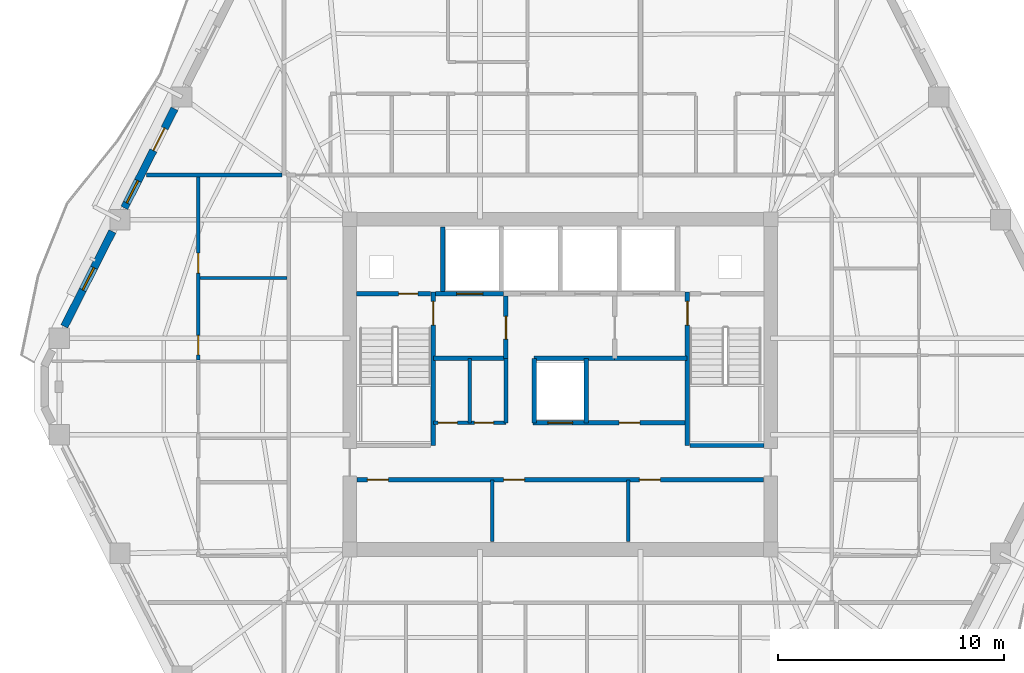
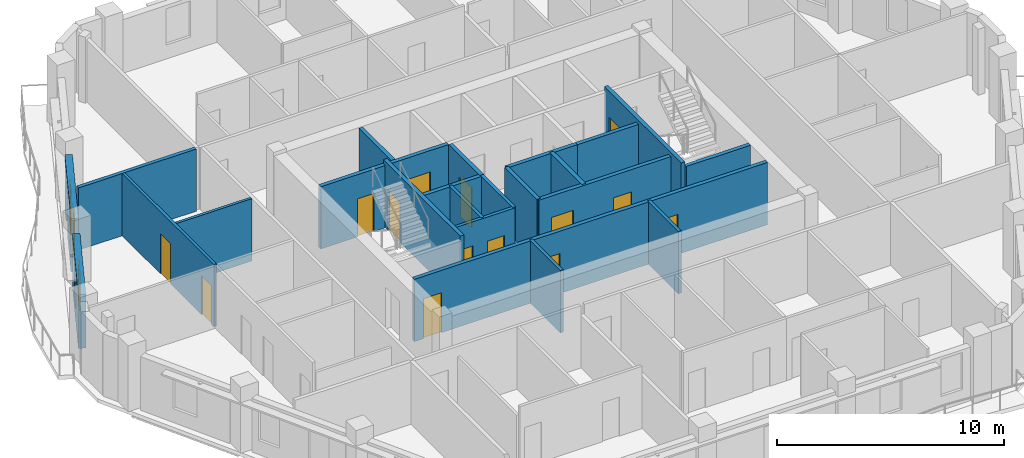
# One storey, part 5 of 11: 24 walls, 15 doors, 2 windows, 17 openings.
"""IFC4 building model written with IfcOpenShell, lengths in metres."""

from ifc_helpers import new_model, si_unit, direction, frame, frame_2d, origin, place, context, subcontext, project, spatial, rectangle, extrude, material, layer, layer_set, type_object, element, fill, save


model = new_model("IFC4")

# Units and contexts
model_context = context("Model", 3, precision=1e-05, world=origin(), true_north=direction((0.0, 1.0)))
body_context = subcontext(model_context, "Body", "Model", "MODEL_VIEW")
ifc_project = project(units=[si_unit("LENGTHUNIT", "METRE"), si_unit("AREAUNIT", "SQUARE_METRE"), si_unit("VOLUMEUNIT", "CUBIC_METRE"), si_unit("PLANEANGLEUNIT", "RADIAN"), si_unit("MASSUNIT", "GRAM", prefix="KILO")], contexts=[model_context])

# Site, building, storey
site_placement = place(None, origin())
site = spatial("IfcSite", under=ifc_project, at=site_placement, CompositionType="ELEMENT")
building_placement = place(site_placement, origin())
building = spatial("IfcBuilding", under=site, at=building_placement, Name="Cinnabar Lancet Tower", CompositionType="ELEMENT")
storey_placement = place(building_placement, frame((0.0, 0.0, 182.550048828125)))
storey = spatial("IfcBuildingStorey", under=building, at=storey_placement, Name="L48", CompositionType="ELEMENT", Elevation=182.550048828125)

# Wall, openings, doors
ifc_material_1 = material(Name="Acoustic twin-stud gypsum partition", Category="gypsum")
ifc_layer_1 = layer(ifc_material_1, 0.159912109375)
ifc_layer_set_1 = layer_set([ifc_layer_1], Name="Acoustic twin-stud gypsum partition")
wall_type_1 = type_object("IfcWallType", Name="ARC-WL-CORR-160", PredefinedType="PARTITIONING", material=ifc_layer_set_1)
wall_1_placement = place(storey_placement, frame((26.800048828125, 24.199951171875, 0.0), z_axis=(0.0, 0.0, 1.0), x_axis=(1.0, 0.0, 0.0)))
wall_1 = element("IfcWall", 1, at=wall_1_placement, inside=storey, type_object=wall_type_1, Name="CW-REC5S-L48", PredefinedType="PARTITIONING", context=body_context, shape_type="SweptSolid", body=[
    extrude(rectangle(XDim=3.199951171875, YDim=0.159912109375, at=frame_2d((1.60009765625, 0.0))), origin(), (0.0, 0.0, 1.0), 3.349853515625),
])
opening_1_placement = place(wall_1_placement, frame((0.199951171875, 0.0, 0.0)))
opening_1 = element("IfcOpeningElement", 2, at=opening_1_placement, cuts=wall_1, Name="Opening PD-02", PredefinedType="OPENING", context=body_context, shape_type="SweptSolid", body=[
    extrude(rectangle(XDim=0.85009765625, YDim=2.050048828125, at=frame_2d((0.425048828125, 1.02490234375))), frame((0.0, 0.08984375, 0.0), z_axis=(0.0, -1.0, 0.0), x_axis=(1.0, 0.0, 0.0)), (0.0, 0.0, 1.0), 0.179931640625),
])
opening_2_placement = place(wall_1_placement, frame((1.800048828125, 0.0, 0.0)))
opening_2 = element("IfcOpeningElement", 3, at=opening_2_placement, cuts=wall_1, Name="Opening PD-02", PredefinedType="OPENING", context=body_context, shape_type="SweptSolid", body=[
    extrude(rectangle(XDim=0.85009765625, YDim=2.050048828125, at=frame_2d((0.425048828125, 1.02490234375))), frame((0.0, 0.08984375, 0.0), z_axis=(0.0, -1.0, 0.0), x_axis=(1.0, 0.0, 0.0)), (0.0, 0.0, 1.0), 0.179931640625),
])
ifc_material_2 = material(Name="Fire-rated steel riser access door", Category="steel")
door_type_1 = type_object("IfcDoorType", Name="ARC-DR-RISER", OperationType="NOTDEFINED", PredefinedType="DOOR", material=ifc_material_2)
door_1_placement = place(opening_1_placement, origin())
door_1 = element("IfcDoor", 4, at=door_1_placement, inside=storey, type_object=door_type_1, Name="DR-L48-REC5A", OperationType="SINGLE_SWING_LEFT", OverallHeight=2.050048828125, OverallWidth=0.85009765625, PredefinedType="DOOR", context=body_context, shape_type="SweptSolid", body=[
    extrude(rectangle(XDim=0.85009765625, YDim=2.050048828125, at=frame_2d((0.425048828125, 1.02490234375))), frame((0.0, 0.02490234375, 0.0), z_axis=(0.0, -1.0, 0.0), x_axis=(1.0, 0.0, 0.0)), (0.0, 0.0, 1.0), 0.050048828125),
])
fill(opening_1, door_1)
door_2_placement = place(opening_2_placement, origin())
door_2 = element("IfcDoor", 5, at=door_2_placement, inside=storey, type_object=door_type_1, Name="DR-L48-REC5B", OperationType="SINGLE_SWING_RIGHT", OverallHeight=2.050048828125, OverallWidth=0.85009765625, PredefinedType="DOOR", context=body_context, shape_type="SweptSolid", body=[
    extrude(rectangle(XDim=0.85009765625, YDim=2.050048828125, at=frame_2d((0.425048828125, 1.02490234375))), frame((0.0, 0.02490234375, 0.0), z_axis=(0.0, -1.0, 0.0), x_axis=(1.0, 0.0, 0.0)), (0.0, 0.0, 1.0), 0.050048828125),
])
fill(opening_2, door_2)

# Walls
for number, where, z_axis, x_axis, name in (
    (6, (30.0, 24.199951171875, 0.0), (0.0, 0.0, 1.0), (0.0, 1.0, 0.0), "CW-REC5E-L48"),
    (7, (28.39990234375, 24.199951171875, 0.0), (0.0, 0.0, 1.0), (0.0, 1.0, 0.0), "CW-REC5D-L48"),
):
    element("IfcWall", number, at=place(storey_placement, frame(where, z_axis=z_axis, x_axis=x_axis)), inside=storey, type_object=wall_type_1, Name=name, PredefinedType="PARTITIONING", context=body_context, shape_type="SweptSolid", body=[
        extrude(rectangle(XDim=2.85009765625, YDim=0.159912109375, at=frame_2d((1.425048828125, 0.0))), origin(), (0.0, 0.0, 1.0), 3.349853515625),
    ])
for number, where, z_axis, x_axis, name in (
    (8, (29.39990234375, 18.949951171875, 0.0), (0.0, 0.0, 1.0), (0.0, 1.0, 0.0), "CW-SB-2940-L48"),
    (9, (35.39990234375, 18.949951171875, 0.0), (0.0, 0.0, 1.0), (0.0, 1.0, 0.0), "CW-SB-3540-L48"),
):
    element("IfcWall", number, at=place(storey_placement, frame(where, z_axis=z_axis, x_axis=x_axis)), inside=storey, type_object=wall_type_1, Name=name, PredefinedType="PARTITIONING", context=body_context, shape_type="SweptSolid", body=[
        extrude(rectangle(XDim=2.72998046875, YDim=0.159912109375, at=frame_2d((1.364990234375, 0.0))), origin(), (0.0, 0.0, 1.0), 3.349853515625),
    ])
ifc_material_3 = material(Name="Fire-rated twin-frame acoustic drywall", Category="gypsum")
ifc_layer_2 = layer(ifc_material_3, 0.179931640625)
ifc_layer_set_2 = layer_set([ifc_layer_2], Name="Fire-rated twin-frame acoustic drywall")
wall_type_2 = type_object("IfcWallType", Name="ARC-WL-PARTY-180", PredefinedType="PARTITIONING", material=ifc_layer_set_2)
wall_2_placement = place(storey_placement, frame((14.110107421875, 35.14990234375, 0.0), z_axis=(0.0, 0.0, 1.0), x_axis=(1.0, 0.0, 0.0)))
element("IfcWall", 10, at=wall_2_placement, inside=storey, type_object=wall_type_2, Name="PW-L48-WNB", PredefinedType="PARTITIONING", context=body_context, shape_type="SweptSolid", body=[
    extrude(rectangle(XDim=5.994873046875, YDim=0.179931640625, at=frame_2d((2.99755859375, 0.0))), origin(), (0.0, 0.0, 1.0), 3.349853515625),
])
ifc_material_4 = material(Name="Autoclaved aerated concrete blockwork", Category="masonry")
ifc_layer_3 = layer(ifc_material_4, 0.199951171875)
ifc_layer_set_3 = layer_set([ifc_layer_3], Name="Autoclaved aerated concrete blockwork")
wall_type_3 = type_object("IfcWallType", Name="ARC-WL-SHAFT-200", PredefinedType="PLUMBINGWALL", material=ifc_layer_set_3)
wall_3_placement = place(storey_placement, frame((38.125, 23.199951171875, 0.0), z_axis=(0.0, 0.0, 1.0), x_axis=(1.0, 0.0, 0.0)))
element("IfcWall", 11, at=wall_3_placement, inside=storey, type_object=wall_type_3, Name="CW-ST2S-L48", PredefinedType="PLUMBINGWALL", context=body_context, shape_type="SweptSolid", body=[
    extrude(rectangle(XDim=3.27001953125, YDim=0.199951171875, at=frame_2d((1.635009765625, 0.0))), origin(), (0.0, 0.0, 1.0), 3.349853515625),
])

# Wall, opening, door
wall_4_placement = place(storey_placement, frame((23.405029296875, 29.89990234375, 0.0), z_axis=(0.0, 0.0, 1.0), x_axis=(1.0, 0.0, 0.0)))
wall_4 = element("IfcWall", 12, at=wall_4_placement, inside=storey, type_object=wall_type_3, Name="CW-NSH-W-L48", PredefinedType="PLUMBINGWALL", context=body_context, shape_type="SweptSolid", body=[
    extrude(rectangle(XDim=3.27001953125, YDim=0.199951171875, at=frame_2d((1.635009765625, 0.0))), origin(), (0.0, 0.0, 1.0), 3.349853515625),
])
opening_3_placement = place(wall_4_placement, frame((1.85009765625, 0.0, 0.0)))
opening_3 = element("IfcOpeningElement", 13, at=opening_3_placement, cuts=wall_4, Name="Opening PD-02", PredefinedType="OPENING", context=body_context, shape_type="SweptSolid", body=[
    extrude(rectangle(XDim=0.85009765625, YDim=2.050048828125, at=frame_2d((0.425048828125, 1.02490234375))), frame((0.0, 0.10986328125, 0.0), z_axis=(0.0, -1.0, 0.0), x_axis=(1.0, 0.0, 0.0)), (0.0, 0.0, 1.0), 0.219970703125),
])
door_3_placement = place(opening_3_placement, origin())
door_3 = element("IfcDoor", 14, at=door_3_placement, inside=storey, type_object=door_type_1, Name="L48 West Riser Access Door", OperationType="SINGLE_SWING_LEFT", OverallHeight=2.050048828125, OverallWidth=0.85009765625, PredefinedType="DOOR", context=body_context, shape_type="SweptSolid", body=[
    extrude(rectangle(XDim=0.85009765625, YDim=2.050048828125, at=frame_2d((0.425048828125, 1.02490234375))), frame((0.0, 0.02490234375, 0.0), z_axis=(0.0, -1.0, 0.0), x_axis=(1.0, 0.0, 0.0)), (0.0, 0.0, 1.0), 0.050048828125),
])
fill(opening_3, door_3)

wall_5_placement = place(storey_placement, frame((26.885009765625, 29.89990234375, 0.0), z_axis=(0.0, 0.0, 1.0), x_axis=(1.0, 0.0, 0.0)))
wall_5 = element("IfcWall", 15, at=wall_5_placement, inside=storey, type_object=wall_type_3, Name="CW-FL1-L48", PredefinedType="PLUMBINGWALL", context=body_context, shape_type="SweptSolid", body=[
    extrude(rectangle(XDim=3.014892578125, YDim=0.199951171875, at=frame_2d((1.50732421875, 0.0))), origin(), (0.0, 0.0, 1.0), 3.349853515625),
])
opening_4_placement = place(wall_5_placement, frame((0.93994140625, 0.0, 0.0)))
opening_4 = element("IfcOpeningElement", 16, at=opening_4_placement, cuts=wall_5, Name="Opening LD-02", PredefinedType="OPENING", context=body_context, shape_type="SweptSolid", body=[
    extrude(rectangle(XDim=1.14990234375, YDim=2.199951171875, at=frame_2d((0.574951171875, 1.10009765625))), frame((0.0, 0.10986328125, 0.0), z_axis=(0.0, -1.0, 0.0), x_axis=(1.0, 0.0, 0.0)), (0.0, 0.0, 1.0), 0.219970703125),
])
ifc_material_5 = material(Name="Fire-rated stainless steel firefighting lift landing door", Category="steel")
door_type_2 = type_object("IfcDoorType", Name="ARC-DR-LD-FIRE", OperationType="NOTDEFINED", PredefinedType="DOOR", material=ifc_material_5)
door_4_placement = place(opening_4_placement, origin())
door_4 = element("IfcDoor", 17, at=door_4_placement, inside=storey, type_object=door_type_2, Name="L48 Firefighting Lift FL-1 Landing Door", OperationType="DOUBLE_DOOR_SLIDING", OverallHeight=2.199951171875, OverallWidth=1.14990234375, PredefinedType="DOOR", context=body_context, shape_type="SweptSolid", body=[
    extrude(rectangle(XDim=1.14990234375, YDim=2.199951171875, at=frame_2d((0.574951171875, 1.10009765625))), frame((0.0, 0.02490234375, 0.0), z_axis=(0.0, -1.0, 0.0), x_axis=(1.0, 0.0, 0.0)), (0.0, 0.0, 1.0), 0.050048828125),
])
fill(opening_4, door_4)

# Wall
wall_6_placement = place(storey_placement, frame((27.199951171875, 30.0, 0.0), z_axis=(0.0, 0.0, 1.0), x_axis=(0.0, 1.0, 0.0)))
element("IfcWall", 18, at=wall_6_placement, inside=storey, type_object=wall_type_3, Name="CW-NSH-D1-L48", PredefinedType="PLUMBINGWALL", context=body_context, shape_type="SweptSolid", body=[
    extrude(rectangle(XDim=2.85009765625, YDim=0.199951171875, at=frame_2d((1.425048828125, 0.0))), origin(), (0.0, 0.0, 1.0), 3.349853515625),
])

# Wall, opening, door
wall_7_placement = place(storey_placement, frame((30.0, 27.050048828125, 0.0), z_axis=(0.0, 0.0, 1.0), x_axis=(0.0, 1.0, 0.0)))
wall_7 = element("IfcWall", 19, at=wall_7_placement, inside=storey, type_object=wall_type_3, Name="CW-FF1E-L48", PredefinedType="PLUMBINGWALL", context=body_context, shape_type="SweptSolid", body=[
    extrude(rectangle(XDim=2.75, YDim=0.199951171875, at=frame_2d((1.375, 0.0))), origin(), (0.0, 0.0, 1.0), 3.349853515625),
])
opening_5_placement = place(wall_7_placement, frame((0.85009765625, 0.0, 0.0)))
opening_5 = element("IfcOpeningElement", 20, at=opening_5_placement, cuts=wall_7, Name="Opening FD-01", PredefinedType="OPENING", context=body_context, shape_type="SweptSolid", body=[
    extrude(rectangle(XDim=1.0, YDim=2.14990234375, at=frame_2d((0.5, 1.074951171875))), frame((0.0, 0.10986328125, 0.0), z_axis=(0.0, -1.0, 0.0), x_axis=(1.0, 0.0, 0.0)), (0.0, 0.0, 1.0), 0.219970703125),
])
ifc_material_6 = material(Name="Fire-rated timber-core lobby door", Category="wood")
door_type_3 = type_object("IfcDoorType", Name="ARC-DR-FFAL", OperationType="NOTDEFINED", PredefinedType="DOOR", material=ifc_material_6)
door_5_placement = place(opening_5_placement, origin())
door_5 = element("IfcDoor", 21, at=door_5_placement, inside=storey, type_object=door_type_3, Name="L48 FFAL-1 Lobby Fire Door", OperationType="SINGLE_SWING_RIGHT", OverallHeight=2.14990234375, OverallWidth=1.0, PredefinedType="DOOR", context=body_context, shape_type="SweptSolid", body=[
    extrude(rectangle(XDim=1.0, YDim=2.14990234375, at=frame_2d((0.5, 1.074951171875))), frame((0.0, 0.02490234375, 0.0), z_axis=(0.0, -1.0, 0.0), x_axis=(1.0, 0.0, 0.0)), (0.0, 0.0, 1.0), 0.050048828125),
])
fill(opening_5, door_5)

# Walls
for number, where, z_axis, x_axis, name in (
    (22, (26.800048828125, 27.050048828125, 0.0), (0.0, 0.0, 1.0), (1.0, 0.0, 0.0), "CW-FF1S-L48"),
    (23, (34.800048828125, 27.050048828125, 0.0), (0.0, 0.0, 1.0), (1.0, 0.0, 0.0), "CW-FF2S-L48"),
):
    element("IfcWall", number, at=place(storey_placement, frame(where, z_axis=z_axis, x_axis=x_axis)), inside=storey, type_object=wall_type_3, Name=name, PredefinedType="PLUMBINGWALL", context=body_context, shape_type="SweptSolid", body=[
        extrude(rectangle(XDim=3.199951171875, YDim=0.199951171875, at=frame_2d((1.60009765625, 0.0))), origin(), (0.0, 0.0, 1.0), 3.349853515625),
    ])

# Wall, openings, doors
wall_8_placement = place(storey_placement, frame((31.199951171875, 24.199951171875, 0.0), z_axis=(0.0, 0.0, 1.0), x_axis=(1.0, 0.0, 0.0)))
wall_8 = element("IfcWall", 24, at=wall_8_placement, inside=storey, type_object=wall_type_3, Name="CW-PL96S-L48", PredefinedType="PLUMBINGWALL", context=body_context, shape_type="SweptSolid", body=[
    extrude(rectangle(XDim=6.800048828125, YDim=0.199951171875, at=frame_2d((3.39990234375, 0.0))), origin(), (0.0, 0.0, 1.0), 3.349853515625),
])
opening_6_placement = place(wall_8_placement, frame((0.64990234375, 0.0, 0.0)))
opening_6 = element("IfcOpeningElement", 25, at=opening_6_placement, cuts=wall_8, Name="Opening LD-01", PredefinedType="OPENING", context=body_context, shape_type="SweptSolid", body=[
    extrude(rectangle(XDim=1.10009765625, YDim=2.199951171875, at=frame_2d((0.550048828125, 1.10009765625))), frame((0.0, 0.10986328125, 0.0), z_axis=(0.0, -1.0, 0.0), x_axis=(1.0, 0.0, 0.0)), (0.0, 0.0, 1.0), 0.219970703125),
])
opening_7_placement = place(wall_8_placement, frame((3.800048828125, 0.0, 0.0)))
opening_7 = element("IfcOpeningElement", 26, at=opening_7_placement, cuts=wall_8, Name="Opening RD-01", PredefinedType="OPENING", context=body_context, shape_type="SweptSolid", body=[
    extrude(rectangle(XDim=0.919921875, YDim=2.14990234375, at=frame_2d((0.4599609375, 1.074951171875))), frame((0.0, 0.10986328125, 0.0), z_axis=(0.0, -1.0, 0.0), x_axis=(1.0, 0.0, 0.0)), (0.0, 0.0, 1.0), 0.219970703125),
])
ifc_material_7 = material(Name="Brushed stainless steel sliding lift door", Category="steel")
door_type_4 = type_object("IfcDoorType", Name="ARC-DR-LD-PASS", OperationType="NOTDEFINED", PredefinedType="DOOR", material=ifc_material_7)
door_6_placement = place(opening_6_placement, origin())
door_6 = element("IfcDoor", 27, at=door_6_placement, inside=storey, type_object=door_type_4, Name="L48 Lift PL-9 Landing Door", OperationType="DOUBLE_DOOR_SLIDING", OverallHeight=2.199951171875, OverallWidth=1.10009765625, PredefinedType="DOOR", context=body_context, shape_type="SweptSolid", body=[
    extrude(rectangle(XDim=1.10009765625, YDim=2.199951171875, at=frame_2d((0.550048828125, 1.10009765625))), frame((0.0, 0.02490234375, 0.0), z_axis=(0.0, -1.0, 0.0), x_axis=(1.0, 0.0, 0.0)), (0.0, 0.0, 1.0), 0.050048828125),
])
fill(opening_6, door_6)
ifc_material_8 = material(Name="Engineered timber bedroom door", Category="wood")
door_type_5 = type_object("IfcDoorType", Name="ARC-DR-ROOM", OperationType="NOTDEFINED", PredefinedType="DOOR", material=ifc_material_8)
door_7_placement = place(opening_7_placement, origin())
door_7 = element("IfcDoor", 28, at=door_7_placement, inside=storey, type_object=door_type_5, Name="DR-L48-REC6", OperationType="SINGLE_SWING_RIGHT", OverallHeight=2.14990234375, OverallWidth=0.919921875, PredefinedType="DOOR", context=body_context, shape_type="SweptSolid", body=[
    extrude(rectangle(XDim=0.919921875, YDim=2.14990234375, at=frame_2d((0.4599609375, 1.074951171875))), frame((0.0, 0.02490234375, 0.0), z_axis=(0.0, -1.0, 0.0), x_axis=(1.0, 0.0, 0.0)), (0.0, 0.0, 1.0), 0.050048828125),
])
fill(opening_7, door_7)

# Walls
for number, where, z_axis, x_axis, name in (
    (29, (31.25, 24.199951171875, 0.0), (0.0, 0.0, 1.0), (0.0, 1.0, 0.0), "CW-PL9W-L48"),
    (30, (33.550048828125, 24.199951171875, 0.0), (0.0, 0.0, 1.0), (0.0, 1.0, 0.0), "CW-PL9E-L48"),
):
    element("IfcWall", number, at=place(storey_placement, frame(where, z_axis=z_axis, x_axis=x_axis)), inside=storey, type_object=wall_type_3, Name=name, PredefinedType="PLUMBINGWALL", context=body_context, shape_type="SweptSolid", body=[
        extrude(rectangle(XDim=2.85009765625, YDim=0.199951171875, at=frame_2d((1.425048828125, 0.0))), origin(), (0.0, 0.0, 1.0), 3.349853515625),
    ])
wall_9_placement = place(storey_placement, frame((31.25, 27.050048828125, 0.0), z_axis=(0.0, 0.0, 1.0), x_axis=(1.0, 0.0, 0.0)))
element("IfcWall", 31, at=wall_9_placement, inside=storey, type_object=wall_type_3, Name="CW-PL96N-L48", PredefinedType="PLUMBINGWALL", context=body_context, shape_type="SweptSolid", body=[
    extrude(rectangle(XDim=3.550048828125, YDim=0.199951171875, at=frame_2d((1.77490234375, 0.0))), origin(), (0.0, 0.0, 1.0), 3.349853515625),
])

# Wall, openings, doors
wall_10_placement = place(storey_placement, frame((23.419921875, 21.679931640625, 0.0), z_axis=(0.0, 0.0, 1.0), x_axis=(1.0, 0.0, 0.0)))
wall_10 = element("IfcWall", 32, at=wall_10_placement, inside=storey, type_object=wall_type_3, Name="CW-SBANDN-L48", PredefinedType="PLUMBINGWALL", context=body_context, shape_type="SweptSolid", body=[
    extrude(rectangle(XDim=17.9599609375, YDim=0.199951171875, at=frame_2d((8.97998046875, 0.0))), origin(), (0.0, 0.0, 1.0), 3.349853515625),
])
opening_8_placement = place(wall_10_placement, frame((0.4599609375, 0.0, 0.0)))
opening_8 = element("IfcOpeningElement", 33, at=opening_8_placement, cuts=wall_10, Name="Opening RD-01", PredefinedType="OPENING", context=body_context, shape_type="SweptSolid", body=[
    extrude(rectangle(XDim=0.919921875, YDim=2.14990234375, at=frame_2d((0.4599609375, 1.074951171875))), frame((0.0, 0.10986328125, 0.0), z_axis=(0.0, -1.0, 0.0), x_axis=(1.0, 0.0, 0.0)), (0.0, 0.0, 1.0), 0.219970703125),
])
opening_9_placement = place(wall_10_placement, frame((6.47998046875, 0.0, 0.0)))
opening_9 = element("IfcOpeningElement", 34, at=opening_9_placement, cuts=wall_10, Name="Opening RD-01", PredefinedType="OPENING", context=body_context, shape_type="SweptSolid", body=[
    extrude(rectangle(XDim=0.919921875, YDim=2.14990234375, at=frame_2d((0.4599609375, 1.074951171875))), frame((0.0, 0.10986328125, 0.0), z_axis=(0.0, -1.0, 0.0), x_axis=(1.0, 0.0, 0.0)), (0.0, 0.0, 1.0), 0.219970703125),
])
opening_10_placement = place(wall_10_placement, frame((12.47998046875, 0.0, 0.0)))
opening_10 = element("IfcOpeningElement", 35, at=opening_10_placement, cuts=wall_10, Name="Opening RD-01", PredefinedType="OPENING", context=body_context, shape_type="SweptSolid", body=[
    extrude(rectangle(XDim=0.919921875, YDim=2.14990234375, at=frame_2d((0.4599609375, 1.074951171875))), frame((0.0, 0.10986328125, 0.0), z_axis=(0.0, -1.0, 0.0), x_axis=(1.0, 0.0, 0.0)), (0.0, 0.0, 1.0), 0.219970703125),
])
door_8_placement = place(opening_8_placement, origin())
door_8 = element("IfcDoor", 36, at=door_8_placement, inside=storey, type_object=door_type_5, Name="DR-L48-HREC1", OperationType="SINGLE_SWING_LEFT", OverallHeight=2.14990234375, OverallWidth=0.919921875, PredefinedType="DOOR", context=body_context, shape_type="SweptSolid", body=[
    extrude(rectangle(XDim=0.919921875, YDim=2.14990234375, at=frame_2d((0.4599609375, 1.074951171875))), frame((0.0, 0.02490234375, 0.0), z_axis=(0.0, -1.0, 0.0), x_axis=(1.0, 0.0, 0.0)), (0.0, 0.0, 1.0), 0.050048828125),
])
fill(opening_8, door_8)
door_9_placement = place(opening_9_placement, origin())
door_9 = element("IfcDoor", 37, at=door_9_placement, inside=storey, type_object=door_type_5, Name="DR-L48-HREC2", OperationType="SINGLE_SWING_RIGHT", OverallHeight=2.14990234375, OverallWidth=0.919921875, PredefinedType="DOOR", context=body_context, shape_type="SweptSolid", body=[
    extrude(rectangle(XDim=0.919921875, YDim=2.14990234375, at=frame_2d((0.4599609375, 1.074951171875))), frame((0.0, 0.02490234375, 0.0), z_axis=(0.0, -1.0, 0.0), x_axis=(1.0, 0.0, 0.0)), (0.0, 0.0, 1.0), 0.050048828125),
])
fill(opening_9, door_9)
door_10_placement = place(opening_10_placement, origin())
door_10 = element("IfcDoor", 38, at=door_10_placement, inside=storey, type_object=door_type_5, Name="DR-L48-HREC3", OperationType="SINGLE_SWING_LEFT", OverallHeight=2.14990234375, OverallWidth=0.919921875, PredefinedType="DOOR", context=body_context, shape_type="SweptSolid", body=[
    extrude(rectangle(XDim=0.919921875, YDim=2.14990234375, at=frame_2d((0.4599609375, 1.074951171875))), frame((0.0, 0.02490234375, 0.0), z_axis=(0.0, -1.0, 0.0), x_axis=(1.0, 0.0, 0.0)), (0.0, 0.0, 1.0), 0.050048828125),
])
fill(opening_10, door_10)

ifc_material_9 = material(Name="Moisture-resistant cement-board plumbing wall", Category="masonry")
ifc_layer_4 = layer(ifc_material_9, 0.139892578125)
ifc_layer_set_4 = layer_set([ifc_layer_4], Name="Moisture-resistant cement-board plumbing wall")
wall_type_4 = type_object("IfcWallType", Name="ARC-WL-WET-140", PredefinedType="PLUMBINGWALL", material=ifc_layer_set_4)
wall_11_placement = place(storey_placement, frame((16.39990234375, 26.987060546875, 0.0), z_axis=(0.0, 0.0, 1.0), x_axis=(0.0, 1.0, 0.0)))
wall_11 = element("IfcWall", 39, at=wall_11_placement, inside=storey, type_object=wall_type_4, Name="UW-L48-W01-SPM", PredefinedType="PLUMBINGWALL", context=body_context, shape_type="SweptSolid", body=[
    extrude(rectangle(XDim=8.06787109375, YDim=0.139892578125, at=frame_2d((4.033935546875, 0.0))), origin(), (0.0, 0.0, 1.0), 3.349853515625),
])
opening_11_placement = place(wall_11_placement, frame((0.219970703125, 0.0, 0.0)))
opening_11 = element("IfcOpeningElement", 40, at=opening_11_placement, cuts=wall_11, Name="Opening BD-01", PredefinedType="OPENING", context=body_context, shape_type="SweptSolid", body=[
    extrude(rectangle(XDim=0.860107421875, YDim=2.10009765625, at=frame_2d((0.43017578125, 1.050048828125))), frame((0.0, 0.079833984375, 0.0), z_axis=(0.0, -1.0, 0.0), x_axis=(1.0, 0.0, 0.0)), (0.0, 0.0, 1.0), 0.159912109375),
])
opening_12_placement = place(wall_11_placement, frame((3.8330078125, 0.0, 0.0)))
opening_12 = element("IfcOpeningElement", 41, at=opening_12_placement, cuts=wall_11, Name="Opening RD-02", PredefinedType="OPENING", context=body_context, shape_type="SweptSolid", body=[
    extrude(rectangle(XDim=0.8798828125, YDim=2.14990234375, at=frame_2d((0.43994140625, 1.074951171875))), frame((0.0, 0.079833984375, 0.0), z_axis=(0.0, -1.0, 0.0), x_axis=(1.0, 0.0, 0.0)), (0.0, 0.0, 1.0), 0.159912109375),
])
ifc_material_10 = material(Name="Moisture-resistant timber bathroom door", Category="wood")
door_type_6 = type_object("IfcDoorType", Name="ARC-DR-BATH", OperationType="NOTDEFINED", PredefinedType="DOOR", material=ifc_material_10)
door_11_placement = place(opening_11_placement, origin())
door_11 = element("IfcDoor", 42, at=door_11_placement, inside=storey, type_object=door_type_6, Name="DR-L48-W01-ENS", OperationType="SINGLE_SWING_RIGHT", OverallHeight=2.10009765625, OverallWidth=0.860107421875, PredefinedType="DOOR", context=body_context, shape_type="SweptSolid", body=[
    extrude(rectangle(XDim=0.860107421875, YDim=2.10009765625, at=frame_2d((0.43017578125, 1.050048828125))), frame((0.0, 0.02490234375, 0.0), z_axis=(0.0, -1.0, 0.0), x_axis=(1.0, 0.0, 0.0)), (0.0, 0.0, 1.0), 0.050048828125),
])
fill(opening_11, door_11)
ifc_material_11 = material(Name="Engineered timber study door", Category="wood")
door_type_7 = type_object("IfcDoorType", Name="ARC-DR-STUDY", OperationType="NOTDEFINED", PredefinedType="DOOR", material=ifc_material_11)
door_12_placement = place(opening_12_placement, origin())
door_12 = element("IfcDoor", 43, at=door_12_placement, inside=storey, type_object=door_type_7, Name="DR-L48-W01-EWDR", OperationType="SINGLE_SWING_LEFT", OverallHeight=2.14990234375, OverallWidth=0.8798828125, PredefinedType="DOOR", context=body_context, shape_type="SweptSolid", body=[
    extrude(rectangle(XDim=0.8798828125, YDim=2.14990234375, at=frame_2d((0.43994140625, 1.074951171875))), frame((0.0, 0.02490234375, 0.0), z_axis=(0.0, -1.0, 0.0), x_axis=(1.0, 0.0, 0.0)), (0.0, 0.0, 1.0), 0.050048828125),
])
fill(opening_12, door_12)

# Wall
wall_12_placement = place(storey_placement, frame((16.485107421875, 30.60009765625, 0.0), z_axis=(0.0, 0.0, 1.0), x_axis=(1.0, 0.0, 0.0)))
element("IfcWall", 44, at=wall_12_placement, inside=storey, type_object=wall_type_4, Name="UW-L48-W01-EWDV", PredefinedType="PLUMBINGWALL", context=body_context, shape_type="SweptSolid", body=[
    extrude(rectangle(XDim=3.829833984375, YDim=0.139892578125, at=frame_2d((1.9150390625, 0.0))), origin(), (0.0, 0.0, 1.0), 3.349853515625),
])

# Wall, openings, door, window
ifc_material_12 = material(Name="Cinnabar red clay brick", Category="masonry")
ifc_layer_5 = layer(ifc_material_12, 0.340087890625)
ifc_layer_set_5 = layer_set([ifc_layer_5], Name="Cinnabar red clay brick")
wall_type_5 = type_object("IfcWallType", Name="ENV-WL-BRK-RED-340", PredefinedType="STANDARD", material=ifc_layer_set_5)
wall_13_placement = place(storey_placement, frame((15.35205078125, 38.0830078125, 0.0), z_axis=(0.0, 0.0, 1.0), x_axis=(-0.451524246964, -0.89225884944, 0.0)))
wall_13 = element("IfcWall", 45, at=wall_13_placement, inside=storey, type_object=wall_type_5, Name="L48 Face 5 Masonry Bay Wall 3", PredefinedType="STANDARD", context=body_context, shape_type="SweptSolid", body=[
    extrude(rectangle(XDim=4.91015625, YDim=0.340087890625, at=frame_2d((2.455078125, 0.0))), origin(), (0.0, 0.0, 1.0), 2.883056640625),
])
opening_13_placement = place(wall_13_placement, frame((0.968017578125, 0.0, 0.0)))
opening_13 = element("IfcOpeningElement", 46, at=opening_13_placement, cuts=wall_13, Name="Opening TD-01", PredefinedType="OPENING", context=body_context, shape_type="SweptSolid", body=[
    extrude(rectangle(XDim=1.10009765625, YDim=2.25, at=frame_2d((0.550048828125, 1.125))), frame((0.0, 0.179931640625, 0.0), z_axis=(0.0, -1.0, 0.0), x_axis=(1.0, 0.0, 0.0)), (0.0, 0.0, 1.0), 0.360107421875),
])
opening_14_placement = place(wall_13_placement, frame((3.569091796875, 0.0, 0.75)))
opening_14 = element("IfcOpeningElement", 47, at=opening_14_placement, cuts=wall_13, Name="Opening WN-04", PredefinedType="OPENING", context=body_context, shape_type="SweptSolid", body=[
    extrude(rectangle(XDim=1.10009765625, YDim=1.98291015625, at=frame_2d((0.550048828125, 0.991455078125))), frame((0.0, 0.179931640625, 0.0), z_axis=(0.0, -1.0, 0.0), x_axis=(1.0, 0.0, 0.0)), (0.0, 0.0, 1.0), 0.360107421875),
])
ifc_material_13 = material(Name="Thermally broken low-E glazed balcony terrace door", Category="wood")
door_type_8 = type_object("IfcDoorType", Name="ARC-DR-BALC", OperationType="NOTDEFINED", PredefinedType="DOOR", material=ifc_material_13)
door_13_placement = place(opening_13_placement, origin())
door_13 = element("IfcDoor", 48, at=door_13_placement, inside=storey, type_object=door_type_8, Name="L48 Face 5 Glazed Terrace Door", OperationType="SINGLE_SWING_LEFT", OverallHeight=2.25, OverallWidth=1.10009765625, PredefinedType="DOOR", context=body_context, shape_type="SweptSolid", body=[
    extrude(rectangle(XDim=1.10009765625, YDim=2.25, at=frame_2d((0.550048828125, 1.125))), frame((0.0, 0.02490234375, 0.0), z_axis=(0.0, -1.0, 0.0), x_axis=(1.0, 0.0, 0.0)), (0.0, 0.0, 1.0), 0.050048828125),
])
fill(opening_13, door_13)
ifc_material_14 = material(Name="Thermally broken bronze-anodized aluminium tall lancet window", Category="aluminium")
window_type = type_object("IfcWindowType", Name="ENV-WN-LANCET-1100", PartitioningType="SINGLE_PANEL", PredefinedType="WINDOW", material=ifc_material_14)
window_1_placement = place(opening_14_placement, origin())
window_1 = element("IfcWindow", 49, at=window_1_placement, inside=storey, type_object=window_type, Name="L48 Split-Bay Gothic Lancet Window 151", OverallHeight=1.98291015625, OverallWidth=1.10009765625, PartitioningType="SINGLE_PANEL", PredefinedType="WINDOW", context=body_context, shape_type="SweptSolid", body=[
    extrude(rectangle(XDim=1.10009765625, YDim=1.98291015625, at=frame_2d((0.550048828125, 0.991455078125))), frame((0.0, 0.030029296875, 0.0), z_axis=(0.0, -1.0, 0.0), x_axis=(1.0, 0.0, 0.0)), (0.0, 0.0, 1.0), 0.06005859375),
])
fill(opening_14, window_1)

# Wall, opening, window
wall_14_placement = place(storey_placement, frame((12.60693359375, 32.656982421875, 0.0), z_axis=(0.0, 0.0, 1.0), x_axis=(-0.451426298588, -0.892308409096, 0.0)))
wall_14 = element("IfcWall", 50, at=wall_14_placement, inside=storey, type_object=wall_type_5, Name="L48 Face 5 Masonry Bay Wall 4", PredefinedType="STANDARD", context=body_context, shape_type="SweptSolid", body=[
    extrude(rectangle(XDim=4.7001953125, YDim=0.340087890625, at=frame_2d((2.35009765625, 0.0))), origin(), (0.0, 0.0, 1.0), 2.883056640625),
])
opening_15_placement = place(wall_14_placement, frame((1.800048828125, 0.0, 0.75)))
opening_15 = element("IfcOpeningElement", 51, at=opening_15_placement, cuts=wall_14, Name="Opening WN-04", PredefinedType="OPENING", context=body_context, shape_type="SweptSolid", body=[
    extrude(rectangle(XDim=1.10009765625, YDim=1.98291015625, at=frame_2d((0.550048828125, 0.991455078125))), frame((0.0, 0.179931640625, 0.0), z_axis=(0.0, -1.0, 0.0), x_axis=(1.0, 0.0, 0.0)), (0.0, 0.0, 1.0), 0.360107421875),
])
window_2_placement = place(opening_15_placement, origin())
window_2 = element("IfcWindow", 52, at=window_2_placement, inside=storey, type_object=window_type, Name="L48 Face 5 Gothic Lancet Window 4", OverallHeight=1.98291015625, OverallWidth=1.10009765625, PartitioningType="SINGLE_PANEL", PredefinedType="WINDOW", context=body_context, shape_type="SweptSolid", body=[
    extrude(rectangle(XDim=1.10009765625, YDim=1.98291015625, at=frame_2d((0.550048828125, 0.991455078125))), frame((0.0, 0.030029296875, 0.0), z_axis=(0.0, -1.0, 0.0), x_axis=(1.0, 0.0, 0.0)), (0.0, 0.0, 1.0), 0.06005859375),
])
fill(opening_15, window_2)

# Wall, opening, door
ifc_material_15 = material(Name="Concrete C50/60", Category="concrete")
ifc_layer_6 = layer(ifc_material_15, 0.199951171875)
ifc_layer_set_6 = layer_set([ifc_layer_6], Name="Concrete C50/60")
wall_type_6 = type_object("IfcWallType", Name="STR-WL-STAIR-200", PredefinedType="SHEAR", material=ifc_layer_set_6)
wall_15_placement = place(storey_placement, frame((26.780029296875, 23.199951171875, 0.0), z_axis=(0.0, 0.0, 1.0), x_axis=(0.0, 1.0, 0.0)))
wall_15 = element("IfcWall", 53, at=wall_15_placement, inside=storey, type_object=wall_type_6, Name="L48 Stair ST-1 Structural Enclosure Wall", PredefinedType="SHEAR", context=body_context, shape_type="SweptSolid", body=[
    extrude(rectangle(XDim=6.780029296875, YDim=0.199951171875, at=frame_2d((3.39013671875, 0.0))), origin(), (0.0, 0.0, 1.0), 3.550048828125),
])
opening_16_placement = place(wall_15_placement, frame((5.320068359375, 0.0, 0.0)))
opening_16 = element("IfcOpeningElement", 54, at=opening_16_placement, cuts=wall_15, Name="Opening SD-01", PredefinedType="OPENING", context=body_context, shape_type="SweptSolid", body=[
    extrude(rectangle(XDim=1.050048828125, YDim=2.14990234375, at=frame_2d((0.52490234375, 1.074951171875))), frame((0.0, 0.10986328125, 0.0), z_axis=(0.0, -1.0, 0.0), x_axis=(1.0, 0.0, 0.0)), (0.0, 0.0, 1.0), 0.219970703125),
])
ifc_material_16 = material(Name="Fire-rated steel stair exit door", Category="steel")
door_type_9 = type_object("IfcDoorType", Name="ARC-DR-STAIR", OperationType="NOTDEFINED", PredefinedType="DOOR", material=ifc_material_16)
door_14_placement = place(opening_16_placement, origin())
door_14 = element("IfcDoor", 55, at=door_14_placement, inside=storey, type_object=door_type_9, Name="L48 Stair ST-1 Fire Door", OperationType="SINGLE_SWING_LEFT", OverallHeight=2.14990234375, OverallWidth=1.050048828125, PredefinedType="DOOR", context=body_context, shape_type="SweptSolid", body=[
    extrude(rectangle(XDim=1.050048828125, YDim=2.14990234375, at=frame_2d((0.52490234375, 1.074951171875))), frame((0.0, 0.02490234375, 0.0), z_axis=(0.0, -1.0, 0.0), x_axis=(1.0, 0.0, 0.0)), (0.0, 0.0, 1.0), 0.050048828125),
])
fill(opening_16, door_14)

wall_16_placement = place(storey_placement, frame((38.02001953125, 23.199951171875, 0.0), z_axis=(0.0, 0.0, 1.0), x_axis=(0.0, 1.0, 0.0)))
wall_16 = element("IfcWall", 56, at=wall_16_placement, inside=storey, type_object=wall_type_6, Name="L48 Stair ST-2 Structural Enclosure Wall", PredefinedType="SHEAR", context=body_context, shape_type="SweptSolid", body=[
    extrude(rectangle(XDim=6.780029296875, YDim=0.199951171875, at=frame_2d((3.39013671875, 0.0))), origin(), (0.0, 0.0, 1.0), 3.550048828125),
])
opening_17_placement = place(wall_16_placement, frame((5.320068359375, 0.0, 0.0)))
opening_17 = element("IfcOpeningElement", 57, at=opening_17_placement, cuts=wall_16, Name="Opening SD-01", PredefinedType="OPENING", context=body_context, shape_type="SweptSolid", body=[
    extrude(rectangle(XDim=1.050048828125, YDim=2.14990234375, at=frame_2d((0.52490234375, 1.074951171875))), frame((0.0, 0.10986328125, 0.0), z_axis=(0.0, -1.0, 0.0), x_axis=(1.0, 0.0, 0.0)), (0.0, 0.0, 1.0), 0.219970703125),
])
door_15_placement = place(opening_17_placement, origin())
door_15 = element("IfcDoor", 58, at=door_15_placement, inside=storey, type_object=door_type_9, Name="L48 Stair ST-2 Fire Door", OperationType="SINGLE_SWING_RIGHT", OverallHeight=2.14990234375, OverallWidth=1.050048828125, PredefinedType="DOOR", context=body_context, shape_type="SweptSolid", body=[
    extrude(rectangle(XDim=1.050048828125, YDim=2.14990234375, at=frame_2d((0.52490234375, 1.074951171875))), frame((0.0, 0.02490234375, 0.0), z_axis=(0.0, -1.0, 0.0), x_axis=(1.0, 0.0, 0.0)), (0.0, 0.0, 1.0), 0.050048828125),
])
fill(opening_17, door_15)

save(model, "model.ifc")
